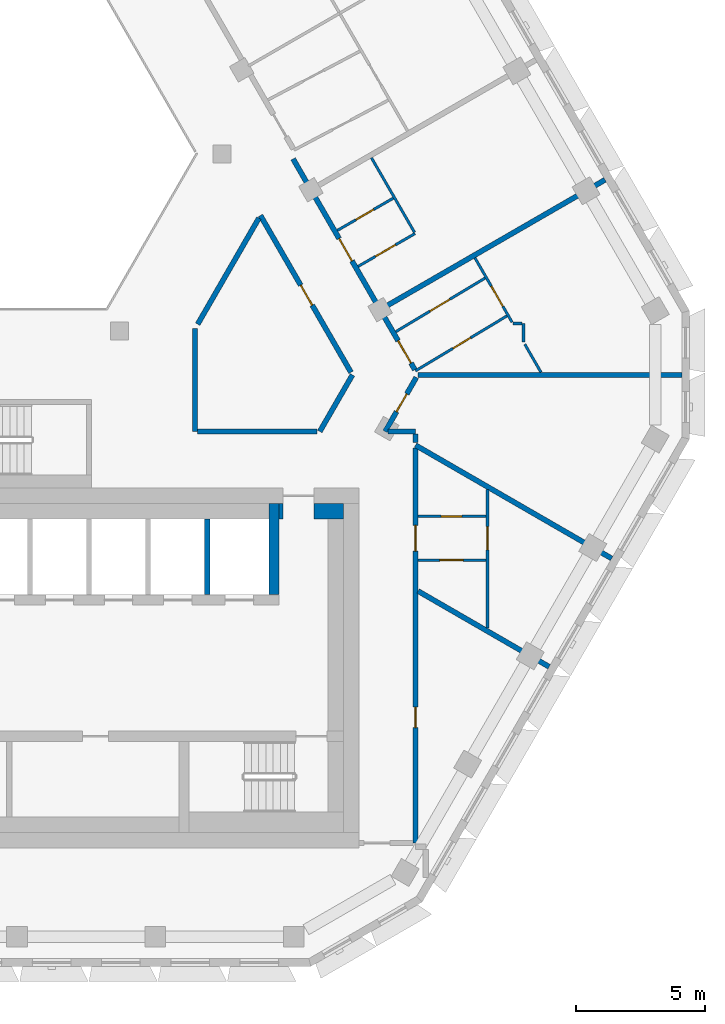
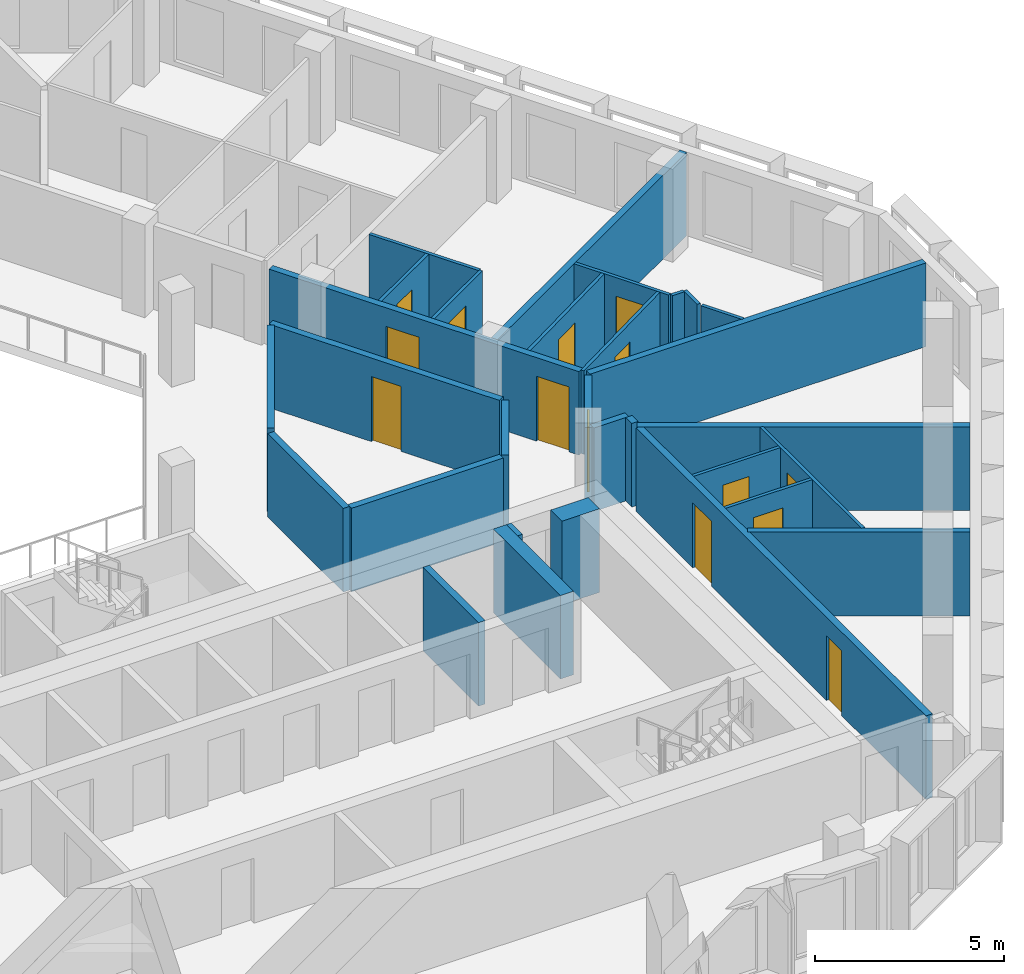
# One storey, part 6 of 18: 30 walls, 14 doors, 14 openings.
"""IFC4 building model written with IfcOpenShell, lengths in metres."""

from ifc_helpers import new_model, si_unit, direction, frame, frame_2d, origin, place, context, subcontext, project, spatial, rectangle, extrude, material, layer, layer_set, type_object, element, fill, save


model = new_model("IFC4")

# Units and contexts
model_context = context("Model", 3, precision=1e-05, world=origin(), true_north=direction((0.0, 1.0)))
body_context = subcontext(model_context, "Body", "Model", "MODEL_VIEW")
ifc_project = project(units=[si_unit("LENGTHUNIT", "METRE"), si_unit("AREAUNIT", "SQUARE_METRE"), si_unit("VOLUMEUNIT", "CUBIC_METRE"), si_unit("PLANEANGLEUNIT", "RADIAN"), si_unit("MASSUNIT", "GRAM", prefix="KILO")], contexts=[model_context])

# Site, building, storey
site_placement = place(None, origin())
site = spatial("IfcSite", under=ifc_project, at=site_placement, CompositionType="ELEMENT")
building_placement = place(site_placement, origin())
building = spatial("IfcBuilding", under=site, at=building_placement, Name="Beryl Residences", CompositionType="ELEMENT")
storey_placement = place(building_placement, frame((0.0, 0.0, 184.199951171875)))
storey = spatial("IfcBuildingStorey", under=building, at=storey_placement, Name="L56", CompositionType="ELEMENT", Elevation=184.199951171875)

# Wall
ifc_material_1 = material(Name="Gypsum board partition on steel studs", Category="steel")
ifc_layer_1 = layer(ifc_material_1, 0.10009765625)
ifc_layer_set_1 = layer_set([ifc_layer_1], Name="PT1 partition 100 mm gypsum board on steel studs")
wall_type_1 = type_object("IfcWallType", Name="PT1 partition 100 mm gypsum board on steel studs", PredefinedType="PARTITIONING", material=ifc_layer_set_1)
wall_1_placement = place(storey_placement, frame((13.784912109375, 7.843994140625, 0.0), z_axis=(0.0, 0.0, 1.0), x_axis=(0.500176784828, -0.865923312955, 0.0)))
element("IfcWall", 1, at=wall_1_placement, inside=storey, type_object=wall_type_1, Name="Wall PT1 L56 002", PredefinedType="PARTITIONING", context=body_context, shape_type="SweptSolid", body=[
    extrude(rectangle(XDim=3.348876953125, YDim=0.10009765625, at=frame_2d((1.67431640625, 0.0))), origin(), (0.0, 0.0, 1.0), 2.699951171875),
])

# Wall, opening, door
wall_2_placement = place(storey_placement, frame((17.81103515625, 3.950927734375, 0.0), z_axis=(0.0, 0.0, 1.0), x_axis=(0.499976149225, -0.866039173598, 0.0)))
wall_2 = element("IfcWall", 2, at=wall_2_placement, inside=storey, type_object=wall_type_1, Name="Wall PT1 L56 004", PredefinedType="PARTITIONING", context=body_context, shape_type="SweptSolid", body=[
    extrude(rectangle(XDim=2.887939453125, YDim=0.10009765625, at=frame_2d((1.44384765625, 0.0))), origin(), (0.0, 0.0, 1.0), 2.699951171875),
])
opening_1_placement = place(wall_2_placement, frame((1.27587890625, 0.0, 0.0)))
opening_1 = element("IfcOpeningElement", 3, at=opening_1_placement, cuts=wall_2, Name="Opening D1542", PredefinedType="OPENING", context=body_context, shape_type="SweptSolid", body=[
    extrude(rectangle(XDim=0.89990234375, YDim=2.10009765625, at=frame_2d((0.449951171875, 1.050048828125))), frame((0.0, 0.06005859375, 0.0), z_axis=(0.0, -1.0, 0.0), x_axis=(1.0, 0.0, 0.0)), (0.0, 0.0, 1.0), 0.1201171875),
])
ifc_material_2 = material(Name="Timber door leaf", Category="wood")
door_type_1 = type_object("IfcDoorType", Name="D2 room door 900 x 2100 mm", OperationType="SINGLE_SWING_LEFT", PredefinedType="DOOR", material=ifc_material_2)
door_1_placement = place(opening_1_placement, origin())
door_1 = element("IfcDoor", 4, at=door_1_placement, inside=storey, type_object=door_type_1, Name="Door D1542 L56 001", OperationType="SINGLE_SWING_RIGHT", OverallHeight=2.10009765625, OverallWidth=0.89990234375, PredefinedType="DOOR", context=body_context, shape_type="SweptSolid", body=[
    extrude(rectangle(XDim=0.89990234375, YDim=2.10009765625, at=frame_2d((0.449951171875, 1.050048828125))), frame((0.0, 0.02490234375, 0.0), z_axis=(0.0, -1.0, 0.0), x_axis=(1.0, 0.0, 0.0)), (0.0, 0.0, 1.0), 0.050048828125),
])
fill(opening_1, door_1)

# Wall
wall_3_placement = place(storey_placement, frame((19.75, 0.592041015625, 0.0), z_axis=(0.0, 0.0, 1.0), x_axis=(0.499974077718, -0.866040369504, 0.0)))
element("IfcWall", 5, at=wall_3_placement, inside=storey, type_object=wall_type_1, Name="Wall PT1 L56 005", PredefinedType="PARTITIONING", context=body_context, shape_type="SweptSolid", body=[
    extrude(rectangle(XDim=1.259765625, YDim=0.10009765625, at=frame_2d((0.6298828125, 0.0))), origin(), (0.0, 0.0, 1.0), 2.699951171875),
])

# Wall, opening, door
wall_4_placement = place(storey_placement, frame((15.60009765625, -6.10107421875, 0.0), z_axis=(0.0, 0.0, 1.0), x_axis=(1.0, 0.0, 0.0)))
wall_4 = element("IfcWall", 6, at=wall_4_placement, inside=storey, type_object=wall_type_1, Name="Wall PT1 L56 018", PredefinedType="PARTITIONING", context=body_context, shape_type="SweptSolid", body=[
    extrude(rectangle(XDim=2.64990234375, YDim=0.10009765625, at=frame_2d((1.324951171875, 0.0))), origin(), (0.0, 0.0, 1.0), 2.699951171875),
])
opening_2_placement = place(wall_4_placement, frame((0.89990234375, 0.0, 0.0)))
opening_2 = element("IfcOpeningElement", 7, at=opening_2_placement, cuts=wall_4, Name="Opening D1535", PredefinedType="OPENING", context=body_context, shape_type="SweptSolid", body=[
    extrude(rectangle(XDim=0.800048828125, YDim=2.10009765625, at=frame_2d((0.39990234375, 1.050048828125))), frame((0.0, 0.06005859375, 0.0), z_axis=(0.0, -1.0, 0.0), x_axis=(1.0, 0.0, 0.0)), (0.0, 0.0, 1.0), 0.1201171875),
])
ifc_material_3 = material(Name="Timber door leaf", Category="wood")
door_type_2 = type_object("IfcDoorType", Name="D3 bathroom door 800 x 2100 mm", OperationType="SINGLE_SWING_LEFT", PredefinedType="DOOR", material=ifc_material_3)
door_2_placement = place(opening_2_placement, origin())
door_2 = element("IfcDoor", 8, at=door_2_placement, inside=storey, type_object=door_type_2, Name="Door D1535 L56 001", OperationType="SINGLE_SWING_LEFT", OverallHeight=2.10009765625, OverallWidth=0.800048828125, PredefinedType="DOOR", context=body_context, shape_type="SweptSolid", body=[
    extrude(rectangle(XDim=0.800048828125, YDim=2.10009765625, at=frame_2d((0.39990234375, 1.050048828125))), frame((0.0, 0.02490234375, 0.0), z_axis=(0.0, -1.0, 0.0), x_axis=(1.0, 0.0, 0.0)), (0.0, 0.0, 1.0), 0.050048828125),
])
fill(opening_2, door_2)

wall_5_placement = place(storey_placement, frame((15.60009765625, -7.801025390625, 0.0), z_axis=(0.0, 0.0, 1.0), x_axis=(1.0, 0.0, 0.0)))
wall_5 = element("IfcWall", 9, at=wall_5_placement, inside=storey, type_object=wall_type_1, Name="Wall PT1 L56 019", PredefinedType="PARTITIONING", context=body_context, shape_type="SweptSolid", body=[
    extrude(rectangle(XDim=2.64990234375, YDim=0.10009765625, at=frame_2d((1.324951171875, 0.0))), origin(), (0.0, 0.0, 1.0), 2.699951171875),
])
opening_3_placement = place(wall_5_placement, frame((0.85009765625, 0.0, 0.0)))
opening_3 = element("IfcOpeningElement", 10, at=opening_3_placement, cuts=wall_5, Name="Opening D1536", PredefinedType="OPENING", context=body_context, shape_type="SweptSolid", body=[
    extrude(rectangle(XDim=0.89990234375, YDim=2.10009765625, at=frame_2d((0.449951171875, 1.050048828125))), frame((0.0, 0.06005859375, 0.0), z_axis=(0.0, -1.0, 0.0), x_axis=(1.0, 0.0, 0.0)), (0.0, 0.0, 1.0), 0.1201171875),
])
door_3_placement = place(opening_3_placement, origin())
door_3 = element("IfcDoor", 11, at=door_3_placement, inside=storey, type_object=door_type_1, Name="Door D1536 L56 001", OperationType="SINGLE_SWING_RIGHT", OverallHeight=2.10009765625, OverallWidth=0.89990234375, PredefinedType="DOOR", context=body_context, shape_type="SweptSolid", body=[
    extrude(rectangle(XDim=0.89990234375, YDim=2.10009765625, at=frame_2d((0.449951171875, 1.050048828125))), frame((0.0, 0.02490234375, 0.0), z_axis=(0.0, -1.0, 0.0), x_axis=(1.0, 0.0, 0.0)), (0.0, 0.0, 1.0), 0.050048828125),
])
fill(opening_3, door_3)

# Wall
wall_6_placement = place(storey_placement, frame((19.283935546875, 1.39990234375, 0.0), z_axis=(0.0, 0.0, 1.0), x_axis=(1.0, 0.0, 0.0)))
element("IfcWall", 12, at=wall_6_placement, inside=storey, type_object=wall_type_1, Name="Wall PT1 L56 022", PredefinedType="PARTITIONING", context=body_context, shape_type="SweptSolid", body=[
    extrude(rectangle(XDim=0.365966796875, YDim=0.10009765625, at=frame_2d((0.18310546875, 0.0))), origin(), (0.0, 0.0, 1.0), 2.699951171875),
])

# Wall, opening, door
wall_7_placement = place(storey_placement, frame((18.300048828125, -10.451904296875, 0.0), z_axis=(0.0, 0.0, 1.0), x_axis=(0.0, 1.0, 0.0)))
wall_7 = element("IfcWall", 13, at=wall_7_placement, inside=storey, type_object=wall_type_1, Name="Wall PT1 L56 032", PredefinedType="PARTITIONING", context=body_context, shape_type="SweptSolid", body=[
    extrude(rectangle(XDim=5.385986328125, YDim=0.10009765625, at=frame_2d((2.69287109375, 0.0))), origin(), (0.0, 0.0, 1.0), 2.699951171875),
])
opening_4_placement = place(wall_7_placement, frame((3.051025390625, 0.0, 0.0)))
opening_4 = element("IfcOpeningElement", 14, at=opening_4_placement, cuts=wall_7, Name="Opening D1537", PredefinedType="OPENING", context=body_context, shape_type="SweptSolid", body=[
    extrude(rectangle(XDim=0.89990234375, YDim=2.10009765625, at=frame_2d((0.449951171875, 1.050048828125))), frame((0.0, 0.06005859375, 0.0), z_axis=(0.0, -1.0, 0.0), x_axis=(1.0, 0.0, 0.0)), (0.0, 0.0, 1.0), 0.1201171875),
])
door_4_placement = place(opening_4_placement, origin())
door_4 = element("IfcDoor", 15, at=door_4_placement, inside=storey, type_object=door_type_1, Name="Door D1537 L56 001", OperationType="SINGLE_SWING_LEFT", OverallHeight=2.10009765625, OverallWidth=0.89990234375, PredefinedType="DOOR", context=body_context, shape_type="SweptSolid", body=[
    extrude(rectangle(XDim=0.89990234375, YDim=2.10009765625, at=frame_2d((0.449951171875, 1.050048828125))), frame((0.0, 0.02490234375, 0.0), z_axis=(0.0, -1.0, 0.0), x_axis=(1.0, 0.0, 0.0)), (0.0, 0.0, 1.0), 0.050048828125),
])
fill(opening_4, door_4)

# Wall
wall_8_placement = place(storey_placement, frame((19.699951171875, 0.678955078125, 0.0), z_axis=(0.0, 0.0, 1.0), x_axis=(0.0, 1.0, 0.0)))
element("IfcWall", 16, at=wall_8_placement, inside=storey, type_object=wall_type_1, Name="Wall PT1 L56 033", PredefinedType="PARTITIONING", context=body_context, shape_type="SweptSolid", body=[
    extrude(rectangle(XDim=0.720947265625, YDim=0.10009765625, at=frame_2d((0.3603515625, 0.0))), origin(), (0.0, 0.0, 1.0), 2.699951171875),
])

# Wall, opening, door
wall_9_placement = place(storey_placement, frame((13.26806640625, 3.618896484375, 0.0), z_axis=(0.0, 0.0, 1.0), x_axis=(0.865902724456, 0.500212426655, 0.0)))
wall_9 = element("IfcWall", 17, at=wall_9_placement, inside=storey, type_object=wall_type_1, Name="Wall PT1 L56 042", PredefinedType="PARTITIONING", context=body_context, shape_type="SweptSolid", body=[
    extrude(rectangle(XDim=2.55908203125, YDim=0.10009765625, at=frame_2d((1.279541015625, 0.0))), origin(), (0.0, 0.0, 1.0), 2.699951171875),
])
opening_5_placement = place(wall_9_placement, frame((0.780029296875, 0.0, 0.0)))
opening_5 = element("IfcOpeningElement", 18, at=opening_5_placement, cuts=wall_9, Name="Opening D1544", PredefinedType="OPENING", context=body_context, shape_type="SweptSolid", body=[
    extrude(rectangle(XDim=0.89990234375, YDim=2.10009765625, at=frame_2d((0.449951171875, 1.050048828125))), frame((0.0, 0.06005859375, 0.0), z_axis=(0.0, -1.0, 0.0), x_axis=(1.0, 0.0, 0.0)), (0.0, 0.0, 1.0), 0.1201171875),
])
door_5_placement = place(opening_5_placement, origin())
door_5 = element("IfcDoor", 19, at=door_5_placement, inside=storey, type_object=door_type_1, Name="Door D1544 L56 001", OperationType="SINGLE_SWING_RIGHT", OverallHeight=2.10009765625, OverallWidth=0.89990234375, PredefinedType="DOOR", context=body_context, shape_type="SweptSolid", body=[
    extrude(rectangle(XDim=0.89990234375, YDim=2.10009765625, at=frame_2d((0.449951171875, 1.050048828125))), frame((0.0, 0.02490234375, 0.0), z_axis=(0.0, -1.0, 0.0), x_axis=(1.0, 0.0, 0.0)), (0.0, 0.0, 1.0), 0.050048828125),
])
fill(opening_5, door_5)

wall_10_placement = place(storey_placement, frame((12.4599609375, 5.01806640625, 0.0), z_axis=(0.0, 0.0, 1.0), x_axis=(0.866080321209, 0.499904868165, 0.0)))
wall_10 = element("IfcWall", 20, at=wall_10_placement, inside=storey, type_object=wall_type_1, Name="Wall PT1 L56 043", PredefinedType="PARTITIONING", context=body_context, shape_type="SweptSolid", body=[
    extrude(rectangle(XDim=2.51025390625, YDim=0.10009765625, at=frame_2d((1.255126953125, 0.0))), origin(), (0.0, 0.0, 1.0), 2.699951171875),
])
opening_6_placement = place(wall_10_placement, frame((0.830078125, 0.0, 0.0)))
opening_6 = element("IfcOpeningElement", 21, at=opening_6_placement, cuts=wall_10, Name="Opening D1545", PredefinedType="OPENING", context=body_context, shape_type="SweptSolid", body=[
    extrude(rectangle(XDim=0.800048828125, YDim=2.10009765625, at=frame_2d((0.39990234375, 1.050048828125))), frame((0.0, 0.06005859375, 0.0), z_axis=(0.0, -1.0, 0.0), x_axis=(1.0, 0.0, 0.0)), (0.0, 0.0, 1.0), 0.1201171875),
])
door_6_placement = place(opening_6_placement, origin())
door_6 = element("IfcDoor", 22, at=door_6_placement, inside=storey, type_object=door_type_2, Name="Door D1545 L56 001", OperationType="SINGLE_SWING_LEFT", OverallHeight=2.10009765625, OverallWidth=0.800048828125, PredefinedType="DOOR", context=body_context, shape_type="SweptSolid", body=[
    extrude(rectangle(XDim=0.800048828125, YDim=2.10009765625, at=frame_2d((0.39990234375, 1.050048828125))), frame((0.0, 0.02490234375, 0.0), z_axis=(0.0, -1.0, 0.0), x_axis=(1.0, 0.0, 0.0)), (0.0, 0.0, 1.0), 0.050048828125),
])
fill(opening_6, door_6)

wall_11_placement = place(storey_placement, frame((14.73388671875, 1.080078125, 0.0), z_axis=(0.0, 0.0, 1.0), x_axis=(0.857205608004, 0.514974315482, 0.0)))
wall_11 = element("IfcWall", 23, at=wall_11_placement, inside=storey, type_object=wall_type_1, Name="Wall PT1 L56 047", PredefinedType="PARTITIONING", context=body_context, shape_type="SweptSolid", body=[
    extrude(rectangle(XDim=4.050537109375, YDim=0.10009765625, at=frame_2d((2.025390625, 0.0))), origin(), (0.0, 0.0, 1.0), 2.699951171875),
])
opening_7_placement = place(wall_11_placement, frame((1.550048828125, 0.0, 0.0)))
opening_7 = element("IfcOpeningElement", 24, at=opening_7_placement, cuts=wall_11, Name="Opening D1540", PredefinedType="OPENING", context=body_context, shape_type="SweptSolid", body=[
    extrude(rectangle(XDim=0.89990234375, YDim=2.10009765625, at=frame_2d((0.449951171875, 1.050048828125))), frame((0.0, 0.06005859375, 0.0), z_axis=(0.0, -1.0, 0.0), x_axis=(1.0, 0.0, 0.0)), (0.0, 0.0, 1.0), 0.1201171875),
])
door_7_placement = place(opening_7_placement, origin())
door_7 = element("IfcDoor", 25, at=door_7_placement, inside=storey, type_object=door_type_1, Name="Door D1540 L56 001", OperationType="SINGLE_SWING_RIGHT", OverallHeight=2.10009765625, OverallWidth=0.89990234375, PredefinedType="DOOR", context=body_context, shape_type="SweptSolid", body=[
    extrude(rectangle(XDim=0.89990234375, YDim=2.10009765625, at=frame_2d((0.449951171875, 1.050048828125))), frame((0.0, 0.02490234375, 0.0), z_axis=(0.0, -1.0, 0.0), x_axis=(1.0, 0.0, 0.0)), (0.0, 0.0, 1.0), 0.050048828125),
])
fill(opening_7, door_7)

wall_12_placement = place(storey_placement, frame((15.4990234375, -0.444091796875, 0.0), z_axis=(0.0, 0.0, 1.0), x_axis=(0.857061798163, 0.515213619899, 0.0)))
wall_12 = element("IfcWall", 26, at=wall_12_placement, inside=storey, type_object=wall_type_1, Name="Wall PT1 L56 048", PredefinedType="PARTITIONING", context=body_context, shape_type="SweptSolid", body=[
    extrude(rectangle(XDim=4.150146484375, YDim=0.10009765625, at=frame_2d((2.0751953125, 0.0))), origin(), (0.0, 0.0, 1.0), 2.699951171875),
])
opening_8_placement = place(wall_12_placement, frame((1.699951171875, 0.0, 0.0)))
opening_8 = element("IfcOpeningElement", 27, at=opening_8_placement, cuts=wall_12, Name="Opening D1541", PredefinedType="OPENING", context=body_context, shape_type="SweptSolid", body=[
    extrude(rectangle(XDim=0.800048828125, YDim=2.10009765625, at=frame_2d((0.39990234375, 1.050048828125))), frame((0.0, 0.06005859375, 0.0), z_axis=(0.0, -1.0, 0.0), x_axis=(1.0, 0.0, 0.0)), (0.0, 0.0, 1.0), 0.1201171875),
])
door_8_placement = place(opening_8_placement, origin())
door_8 = element("IfcDoor", 28, at=door_8_placement, inside=storey, type_object=door_type_2, Name="Door D1541 L56 001", OperationType="SINGLE_SWING_LEFT", OverallHeight=2.10009765625, OverallWidth=0.800048828125, PredefinedType="DOOR", context=body_context, shape_type="SweptSolid", body=[
    extrude(rectangle(XDim=0.800048828125, YDim=2.10009765625, at=frame_2d((0.39990234375, 1.050048828125))), frame((0.0, 0.02490234375, 0.0), z_axis=(0.0, -1.0, 0.0), x_axis=(1.0, 0.0, 0.0)), (0.0, 0.0, 1.0), 0.050048828125),
])
fill(opening_8, door_8)

# Walls
ifc_material_4 = material(Name="Concrete masonry", Category="masonry")
ifc_layer_2 = layer(ifc_material_4, 0.14990234375)
ifc_layer_set_2 = layer_set([ifc_layer_2], Name="PT13-150 lobby wall 150 mm")
wall_type_2 = type_object("IfcWallType", Name="PT13-150 lobby wall 150 mm", PredefinedType="PARTITIONING", material=ifc_layer_set_2)
wall_13_placement = place(storey_placement, frame((10.27490234375, -6.199951171875, 0.0), z_axis=(0.0, 0.0, 1.0), x_axis=(0.0, 1.0, 0.0)))
element("IfcWall", 29, at=wall_13_placement, inside=storey, type_object=wall_type_2, Name="Lobby wall 23", PredefinedType="PARTITIONING", context=body_context, shape_type="SweptSolid", body=[
    extrude(rectangle(XDim=0.599853515625, YDim=0.14990234375, at=frame_2d((0.2998046875, 0.0))), origin(), (0.0, 0.0, 1.0), 2.699951171875),
])
ifc_material_5 = material(Name="Concrete masonry", Category="masonry")
ifc_layer_3 = layer(ifc_material_5, 0.60009765625)
ifc_layer_set_3 = layer_set([ifc_layer_3], Name="PT13-600 lobby wall 600 mm")
wall_type_3 = type_object("IfcWallType", Name="PT13-600 lobby wall 600 mm", PredefinedType="PARTITIONING", material=ifc_layer_set_3)
wall_14_placement = place(storey_placement, frame((11.550048828125, -5.89990234375, 0.0), z_axis=(0.0, 0.0, 1.0), x_axis=(1.0, 0.0, 0.0)))
element("IfcWall", 30, at=wall_14_placement, inside=storey, type_object=wall_type_3, Name="Lobby wall 24", PredefinedType="PARTITIONING", context=body_context, shape_type="SweptSolid", body=[
    extrude(rectangle(XDim=1.14990234375, YDim=0.60009765625, at=frame_2d((0.574951171875, 0.0))), origin(), (0.0, 0.0, 1.0), 2.699951171875),
])
ifc_material_6 = material(Name="Acoustic double stud gypsum board wall")
ifc_layer_4 = layer(ifc_material_6, 0.199951171875)
ifc_layer_set_4 = layer_set([ifc_layer_4], Name="PT3 party wall 200 mm acoustic double stud")
wall_type_4 = type_object("IfcWallType", Name="PT3 party wall 200 mm acoustic double stud", PredefinedType="PARTITIONING", material=ifc_layer_set_4)
wall_15_placement = place(storey_placement, frame((15.60009765625, -9.008056640625, 0.0), z_axis=(0.0, 0.0, 1.0), x_axis=(0.866013576751, -0.500020484464, 0.0)))
element("IfcWall", 31, at=wall_15_placement, inside=storey, type_object=wall_type_4, Name="Wall PT3 L56 005", PredefinedType="PARTITIONING", context=body_context, shape_type="SweptSolid", body=[
    extrude(rectangle(XDim=5.885498046875, YDim=0.199951171875, at=frame_2d((2.94287109375, 0.0))), origin(), (0.0, 0.0, 1.0), 2.699951171875),
])
wall_16_placement = place(storey_placement, frame((15.5, -3.333984375, 0.0), z_axis=(0.0, 0.0, 1.0), x_axis=(0.866001896501, -0.5000407136, 0.0)))
element("IfcWall", 32, at=wall_16_placement, inside=storey, type_object=wall_type_4, Name="Wall PT3 L56 006", PredefinedType="PARTITIONING", context=body_context, shape_type="SweptSolid", body=[
    extrude(rectangle(XDim=8.809326171875, YDim=0.199951171875, at=frame_2d((4.40478515625, 0.0))), origin(), (0.0, 0.0, 1.0), 2.699951171875),
])
wall_17_placement = place(storey_placement, frame((15.587890625, -0.59912109375, 0.0), z_axis=(0.0, 0.0, 1.0), x_axis=(1.0, 0.0, 0.0)))
element("IfcWall", 33, at=wall_17_placement, inside=storey, type_object=wall_type_4, Name="Wall PT3 L56 007", PredefinedType="PARTITIONING", context=body_context, shape_type="SweptSolid", body=[
    extrude(rectangle(XDim=10.26611328125, YDim=0.199951171875, at=frame_2d((5.133056640625, 0.0))), origin(), (0.0, 0.0, 1.0), 2.699951171875),
])
wall_18_placement = place(storey_placement, frame((14.2099609375, 1.987060546875, 0.0), z_axis=(0.0, 0.0, 1.0), x_axis=(0.866022959057, 0.500004234368, 0.0)))
element("IfcWall", 34, at=wall_18_placement, inside=storey, type_object=wall_type_4, Name="Wall PT3 L56 011", PredefinedType="PARTITIONING", context=body_context, shape_type="SweptSolid", body=[
    extrude(rectangle(XDim=10.0, YDim=0.199951171875, at=frame_2d((5.0, 0.0))), origin(), (0.0, 0.0, 1.0), 2.699951171875),
])

# Wall, opening, door
ifc_material_7 = material(Name="Double stud gypsum board wall")
ifc_layer_5 = layer(ifc_material_7, 0.199951171875)
ifc_layer_set_5 = layer_set([ifc_layer_5], Name="PT4 corridor wall 200 mm double stud")
wall_type_5 = type_object("IfcWallType", Name="PT4 corridor wall 200 mm double stud", PredefinedType="PARTITIONING", material=ifc_layer_set_5)
wall_19_placement = place(storey_placement, frame((9.468994140625, 5.60009765625, 0.0), z_axis=(0.0, 0.0, 1.0), x_axis=(0.499964524401, -0.866045884662, 0.0)))
wall_19 = element("IfcWall", 35, at=wall_19_placement, inside=storey, type_object=wall_type_5, Name="Wall PT4 L56 004", PredefinedType="PARTITIONING", context=body_context, shape_type="SweptSolid", body=[
    extrude(rectangle(XDim=7.04248046875, YDim=0.199951171875, at=frame_2d((3.521240234375, 0.0))), origin(), (0.0, 0.0, 1.0), 2.699951171875),
])
opening_9_placement = place(wall_19_placement, frame((3.12890625, 0.0, 0.0)))
opening_9 = element("IfcOpeningElement", 36, at=opening_9_placement, cuts=wall_19, Name="Opening D1547", PredefinedType="OPENING", context=body_context, shape_type="SweptSolid", body=[
    extrude(rectangle(XDim=0.89990234375, YDim=2.10009765625, at=frame_2d((0.449951171875, 1.050048828125))), frame((0.0, 0.10986328125, 0.0), z_axis=(0.0, -1.0, 0.0), x_axis=(1.0, 0.0, 0.0)), (0.0, 0.0, 1.0), 0.219970703125),
])
door_9_placement = place(opening_9_placement, origin())
door_9 = element("IfcDoor", 37, at=door_9_placement, inside=storey, type_object=door_type_1, Name="Door D1547 L56 001", OperationType="SINGLE_SWING_LEFT", OverallHeight=2.10009765625, OverallWidth=0.89990234375, PredefinedType="DOOR", context=body_context, shape_type="SweptSolid", body=[
    extrude(rectangle(XDim=0.89990234375, YDim=2.10009765625, at=frame_2d((0.449951171875, 1.050048828125))), frame((0.0, 0.02490234375, 0.0), z_axis=(0.0, -1.0, 0.0), x_axis=(1.0, 0.0, 0.0)), (0.0, 0.0, 1.0), 0.050048828125),
])
fill(opening_9, door_9)

# Wall, openings, doors
wall_20_placement = place(storey_placement, frame((10.739013671875, 7.800048828125, 0.0), z_axis=(0.0, 0.0, 1.0), x_axis=(0.500023726918, -0.866011704609, 0.0)))
wall_20 = element("IfcWall", 38, at=wall_20_placement, inside=storey, type_object=wall_type_5, Name="Wall PT4 L56 005", PredefinedType="PARTITIONING", context=body_context, shape_type="SweptSolid", body=[
    extrude(rectangle(XDim=9.4697265625, YDim=0.199951171875, at=frame_2d((4.73486328125, 0.0))), origin(), (0.0, 0.0, 1.0), 2.699951171875),
])
opening_10_placement = place(wall_20_placement, frame((8.16796875, 0.0, 0.0)))
opening_10 = element("IfcOpeningElement", 39, at=opening_10_placement, cuts=wall_20, Name="Opening D1539", PredefinedType="OPENING", context=body_context, shape_type="SweptSolid", body=[
    extrude(rectangle(XDim=1.0, YDim=2.10009765625, at=frame_2d((0.5, 1.050048828125))), frame((0.0, 0.10986328125, 0.0), z_axis=(0.0, -1.0, 0.0), x_axis=(1.0, 0.0, 0.0)), (0.0, 0.0, 1.0), 0.219970703125),
])
opening_11_placement = place(wall_20_placement, frame((3.577880859375, 0.0, 0.0)))
opening_11 = element("IfcOpeningElement", 40, at=opening_11_placement, cuts=wall_20, Name="Opening D1543", PredefinedType="OPENING", context=body_context, shape_type="SweptSolid", body=[
    extrude(rectangle(XDim=1.0, YDim=2.10009765625, at=frame_2d((0.5, 1.050048828125))), frame((0.0, 0.10986328125, 0.0), z_axis=(0.0, -1.0, 0.0), x_axis=(1.0, 0.0, 0.0)), (0.0, 0.0, 1.0), 0.219970703125),
])
ifc_material_8 = material(Name="Timber door leaf", Category="wood")
door_type_3 = type_object("IfcDoorType", Name="D1 flat entrance door 1000 x 2100 mm", OperationType="SINGLE_SWING_LEFT", PredefinedType="DOOR", material=ifc_material_8)
door_10_placement = place(opening_10_placement, origin())
door_10 = element("IfcDoor", 41, at=door_10_placement, inside=storey, type_object=door_type_3, Name="Door D1539 L56 001", OperationType="SINGLE_SWING_LEFT", OverallHeight=2.10009765625, OverallWidth=1.0, PredefinedType="DOOR", context=body_context, shape_type="SweptSolid", body=[
    extrude(rectangle(XDim=1.0, YDim=2.10009765625, at=frame_2d((0.5, 1.050048828125))), frame((0.0, 0.02490234375, 0.0), z_axis=(0.0, -1.0, 0.0), x_axis=(1.0, 0.0, 0.0)), (0.0, 0.0, 1.0), 0.050048828125),
])
fill(opening_10, door_10)
door_11_placement = place(opening_11_placement, origin())
door_11 = element("IfcDoor", 42, at=door_11_placement, inside=storey, type_object=door_type_3, Name="Door D1543 L56 001", OperationType="SINGLE_SWING_LEFT", OverallHeight=2.10009765625, OverallWidth=1.0, PredefinedType="DOOR", context=body_context, shape_type="SweptSolid", body=[
    extrude(rectangle(XDim=1.0, YDim=2.10009765625, at=frame_2d((0.5, 1.050048828125))), frame((0.0, 0.02490234375, 0.0), z_axis=(0.0, -1.0, 0.0), x_axis=(1.0, 0.0, 0.0)), (0.0, 0.0, 1.0), 0.050048828125),
])
fill(opening_11, door_11)

# Walls
wall_21_placement = place(storey_placement, frame((15.5, -2.90087890625, 0.0), z_axis=(0.0, 0.0, 1.0), x_axis=(0.0, -1.0, 0.0)))
element("IfcWall", 43, at=wall_21_placement, inside=storey, type_object=wall_type_5, Name="Wall PT4 L56 007", PredefinedType="PARTITIONING", context=body_context, shape_type="SweptSolid", body=[
    extrude(rectangle(XDim=0.318115234375, YDim=0.199951171875, at=frame_2d((0.1591796875, 0.0))), origin(), (0.0, 0.0, 1.0), 2.699951171875),
])
wall_22_placement = place(storey_placement, frame((7.028076171875, -2.800048828125, 0.0), z_axis=(0.0, 0.0, 1.0), x_axis=(1.0, 0.0, 0.0)))
element("IfcWall", 44, at=wall_22_placement, inside=storey, type_object=wall_type_5, Name="Wall PT4 L56 012", PredefinedType="PARTITIONING", context=body_context, shape_type="SweptSolid", body=[
    extrude(rectangle(XDim=4.634033203125, YDim=0.199951171875, at=frame_2d((2.31689453125, 0.0))), origin(), (0.0, 0.0, 1.0), 2.699951171875),
])
wall_23_placement = place(storey_placement, frame((14.43310546875, -2.800048828125, 0.0), z_axis=(0.0, 0.0, 1.0), x_axis=(1.0, 0.0, 0.0)))
element("IfcWall", 45, at=wall_23_placement, inside=storey, type_object=wall_type_5, Name="Wall PT4 L56 013", PredefinedType="PARTITIONING", context=body_context, shape_type="SweptSolid", body=[
    extrude(rectangle(XDim=1.06591796875, YDim=0.199951171875, at=frame_2d((0.532958984375, 0.0))), origin(), (0.0, 0.0, 1.0), 2.699951171875),
])
wall_24_placement = place(storey_placement, frame((7.028076171875, 1.373046875, 0.0), z_axis=(0.0, 0.0, 1.0), x_axis=(0.499953126767, 0.866052464367, 0.0)))
element("IfcWall", 46, at=wall_24_placement, inside=storey, type_object=wall_type_5, Name="Wall PT4 L56 015", PredefinedType="PARTITIONING", context=body_context, shape_type="SweptSolid", body=[
    extrude(rectangle(XDim=4.76416015625, YDim=0.199951171875, at=frame_2d((2.382080078125, 0.0))), origin(), (0.0, 0.0, 1.0), 2.699951171875),
])
wall_25_placement = place(storey_placement, frame((11.777099609375, -2.800048828125, 0.0), z_axis=(0.0, 0.0, 1.0), x_axis=(0.500085537782, 0.86597601289, 0.0)))
element("IfcWall", 47, at=wall_25_placement, inside=storey, type_object=wall_type_5, Name="Wall PT4 L56 016", PredefinedType="PARTITIONING", context=body_context, shape_type="SweptSolid", body=[
    extrude(rectangle(XDim=2.54150390625, YDim=0.199951171875, at=frame_2d((1.270751953125, 0.0))), origin(), (0.0, 0.0, 1.0), 2.699951171875),
])

# Wall, opening, door
wall_26_placement = place(storey_placement, frame((14.318115234375, -2.800048828125, 0.0), z_axis=(0.0, 0.0, 1.0), x_axis=(0.49964693309, 0.866229151122, 0.0)))
wall_26 = element("IfcWall", 48, at=wall_26_placement, inside=storey, type_object=wall_type_5, Name="Wall PT4 L56 017", PredefinedType="PARTITIONING", context=body_context, shape_type="SweptSolid", body=[
    extrude(rectangle(XDim=2.425537109375, YDim=0.199951171875, at=frame_2d((1.212890625, 0.0))), origin(), (0.0, 0.0, 1.0), 2.699951171875),
])
opening_12_placement = place(wall_26_placement, frame((0.885986328125, 0.0, 0.0)))
opening_12 = element("IfcOpeningElement", 49, at=opening_12_placement, cuts=wall_26, Name="Opening D1538", PredefinedType="OPENING", context=body_context, shape_type="SweptSolid", body=[
    extrude(rectangle(XDim=0.800048828125, YDim=2.10009765625, at=frame_2d((0.39990234375, 1.050048828125))), frame((0.0, 0.10986328125, 0.0), z_axis=(0.0, -1.0, 0.0), x_axis=(1.0, 0.0, 0.0)), (0.0, 0.0, 1.0), 0.219970703125),
])
door_12_placement = place(opening_12_placement, origin())
door_12 = element("IfcDoor", 50, at=door_12_placement, inside=storey, type_object=door_type_2, Name="Door D1538 L56 001", OperationType="SINGLE_SWING_RIGHT", OverallHeight=2.10009765625, OverallWidth=0.800048828125, PredefinedType="DOOR", context=body_context, shape_type="SweptSolid", body=[
    extrude(rectangle(XDim=0.800048828125, YDim=2.10009765625, at=frame_2d((0.39990234375, 1.050048828125))), frame((0.0, 0.02490234375, 0.0), z_axis=(0.0, -1.0, 0.0), x_axis=(1.0, 0.0, 0.0)), (0.0, 0.0, 1.0), 0.050048828125),
])
fill(opening_12, door_12)

# Wall
wall_27_placement = place(storey_placement, frame((6.927978515625, -2.800048828125, 0.0), z_axis=(0.0, 0.0, 1.0), x_axis=(0.0, 1.0, 0.0)))
element("IfcWall", 51, at=wall_27_placement, inside=storey, type_object=wall_type_5, Name="Wall PT4 L56 021", PredefinedType="PARTITIONING", context=body_context, shape_type="SweptSolid", body=[
    extrude(rectangle(XDim=4.0, YDim=0.199951171875, at=frame_2d((2.0, 0.0))), origin(), (0.0, 0.0, 1.0), 2.699951171875),
])

# Wall, openings, doors
wall_28_placement = place(storey_placement, frame((15.5, -18.799072265625, 0.0), z_axis=(0.0, 0.0, 1.0), x_axis=(0.0, 1.0, 0.0)))
wall_28 = element("IfcWall", 52, at=wall_28_placement, inside=storey, type_object=wall_type_5, Name="Wall PT4 L56 022", PredefinedType="PARTITIONING", context=body_context, shape_type="SweptSolid", body=[
    extrude(rectangle(XDim=15.34912109375, YDim=0.199951171875, at=frame_2d((7.674560546875, 0.0))), origin(), (0.0, 0.0, 1.0), 2.699951171875),
])
opening_13_placement = place(wall_28_placement, frame((4.47705078125, 0.0, 0.0)))
opening_13 = element("IfcOpeningElement", 53, at=opening_13_placement, cuts=wall_28, Name="Opening D1533", PredefinedType="OPENING", context=body_context, shape_type="SweptSolid", body=[
    extrude(rectangle(XDim=0.800048828125, YDim=2.10009765625, at=frame_2d((0.39990234375, 1.050048828125))), frame((0.0, 0.10986328125, 0.0), z_axis=(0.0, -1.0, 0.0), x_axis=(1.0, 0.0, 0.0)), (0.0, 0.0, 1.0), 0.219970703125),
])
opening_14_placement = place(wall_28_placement, frame((11.347900390625, 0.0, 0.0)))
opening_14 = element("IfcOpeningElement", 54, at=opening_14_placement, cuts=wall_28, Name="Opening D1534", PredefinedType="OPENING", context=body_context, shape_type="SweptSolid", body=[
    extrude(rectangle(XDim=1.0, YDim=2.10009765625, at=frame_2d((0.5, 1.050048828125))), frame((0.0, 0.10986328125, 0.0), z_axis=(0.0, -1.0, 0.0), x_axis=(1.0, 0.0, 0.0)), (0.0, 0.0, 1.0), 0.219970703125),
])
door_13_placement = place(opening_14_placement, origin())
door_13 = element("IfcDoor", 55, at=door_13_placement, inside=storey, type_object=door_type_3, Name="Door D1534 L56 001", OperationType="SINGLE_SWING_RIGHT", OverallHeight=2.10009765625, OverallWidth=1.0, PredefinedType="DOOR", context=body_context, shape_type="SweptSolid", body=[
    extrude(rectangle(XDim=1.0, YDim=2.10009765625, at=frame_2d((0.5, 1.050048828125))), frame((0.0, 0.02490234375, 0.0), z_axis=(0.0, -1.0, 0.0), x_axis=(1.0, 0.0, 0.0)), (0.0, 0.0, 1.0), 0.050048828125),
])
fill(opening_14, door_13)
door_14_placement = place(opening_13_placement, origin())
door_14 = element("IfcDoor", 56, at=door_14_placement, inside=storey, type_object=door_type_2, Name="Door D1533 L56 001", OperationType="SINGLE_SWING_LEFT", OverallHeight=2.10009765625, OverallWidth=0.800048828125, PredefinedType="DOOR", context=body_context, shape_type="SweptSolid", body=[
    extrude(rectangle(XDim=0.800048828125, YDim=2.10009765625, at=frame_2d((0.39990234375, 1.050048828125))), frame((0.0, 0.02490234375, 0.0), z_axis=(0.0, -1.0, 0.0), x_axis=(1.0, 0.0, 0.0)), (0.0, 0.0, 1.0), 0.050048828125),
])
fill(opening_13, door_14)

# Walls
ifc_material_9 = material(Name="Concrete C40/50", Category="concrete")
ifc_layer_6 = layer(ifc_material_9, 0.199951171875)
ifc_layer_set_6 = layer_set([ifc_layer_6], Name="PT6 lift shaft wall 200 mm reinforced concrete C40/50")
wall_type_6 = type_object("IfcWallType", Name="PT6 lift shaft wall 200 mm reinforced concrete C40/50", PredefinedType="SOLIDWALL", material=ifc_layer_set_6)
wall_29_placement = place(storey_placement, frame((7.39990234375, -9.14990234375, 0.0), z_axis=(0.0, 0.0, 1.0), x_axis=(0.0, 1.0, 0.0)))
element("IfcWall", 57, at=wall_29_placement, inside=storey, type_object=wall_type_6, Name="Lift shaft wall 22", PredefinedType="SOLIDWALL", context=body_context, shape_type="SweptSolid", body=[
    extrude(rectangle(XDim=2.949951171875, YDim=0.199951171875, at=frame_2d((1.47509765625, 0.0))), origin(), (0.0, 0.0, 1.0), 2.699951171875),
])
ifc_material_10 = material(Name="Concrete C50/60", Category="concrete")
ifc_layer_7 = layer(ifc_material_10, 0.39990234375)
ifc_layer_set_7 = layer_set([ifc_layer_7], Name="SW9 core internal wall 400 mm C50/60")
wall_type_7 = type_object("IfcWallType", Name="SW9 core internal wall 400 mm C50/60", PredefinedType="SHEAR", material=ifc_layer_set_7)
wall_30_placement = place(storey_placement, frame((10.0, -9.14990234375, 0.0), z_axis=(0.0, 0.0, 1.0), x_axis=(0.0, 1.0, 0.0)))
element("IfcWall", 58, at=wall_30_placement, inside=storey, type_object=wall_type_7, Name="Core wall XN2 L56", PredefinedType="SHEAR", context=body_context, shape_type="SweptSolid", body=[
    extrude(rectangle(XDim=3.5498046875, YDim=0.39990234375, at=frame_2d((1.77490234375, 0.0))), origin(), (0.0, 0.0, 1.0), 2.699951171875),
])

save(model, "model.ifc")
